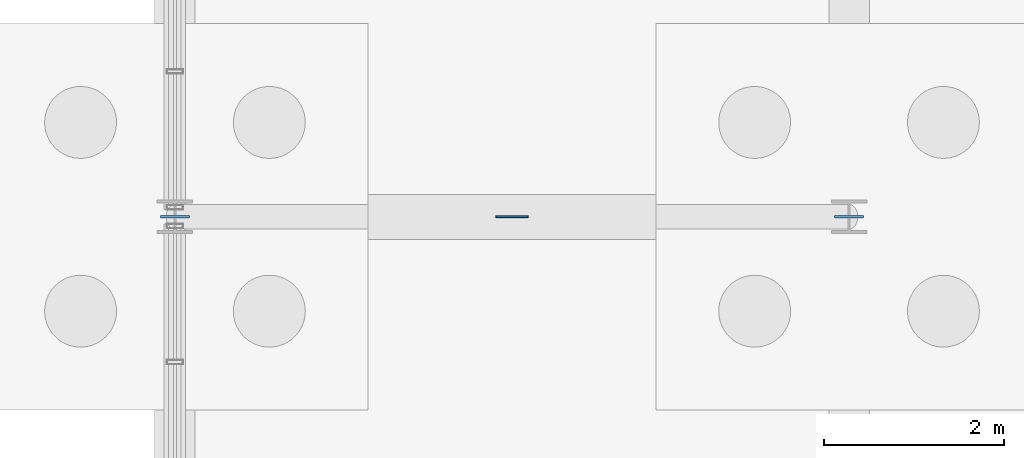
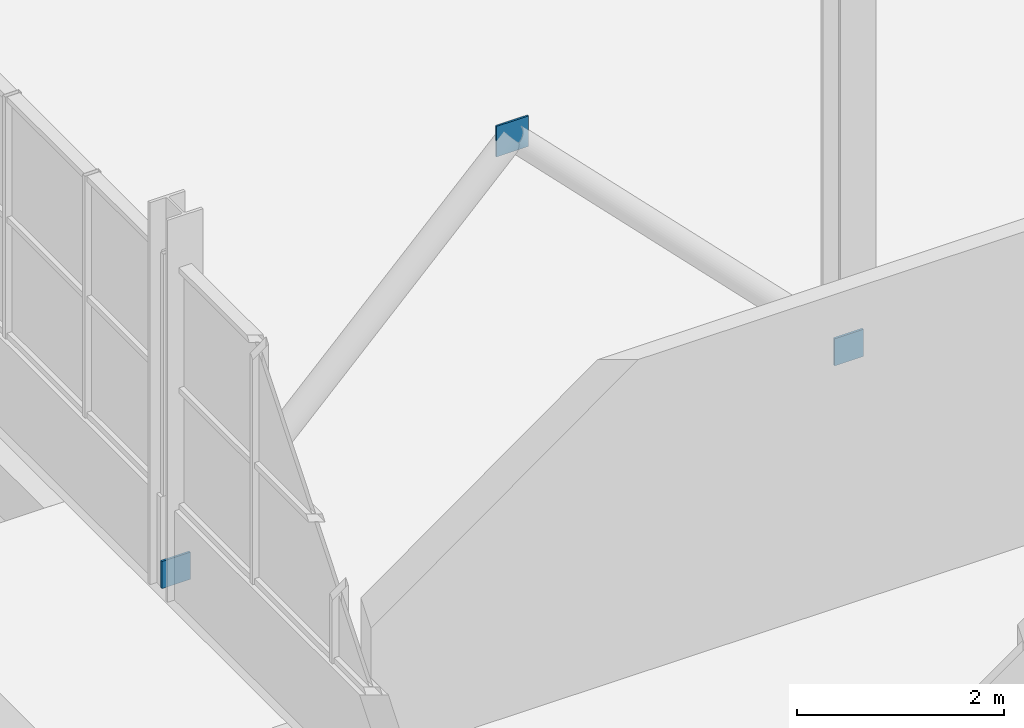
# One storey, part 101 of 136: 3 plates.
"""IFC4 building model written with IfcOpenShell, lengths in metres."""

from ifc_helpers import new_model, si_unit, direction, frame, origin, origin_2d, place, context, subcontext, project, spatial, rectangle, extrude, material, layer, layer_set, type_object, element, save


model = new_model("IFC4")

# Units and contexts
model_context = context("Model", 3, precision=1e-05, world=origin(), true_north=direction((0.0, 1.0)))
body_context = subcontext(model_context, "Body", "Model", "MODEL_VIEW")
ifc_project = project(units=[si_unit("LENGTHUNIT", "METRE"), si_unit("AREAUNIT", "SQUARE_METRE"), si_unit("VOLUMEUNIT", "CUBIC_METRE"), si_unit("PLANEANGLEUNIT", "RADIAN"), si_unit("MASSUNIT", "GRAM", prefix="KILO")], contexts=[model_context])

# Site, building, storey
site_placement = place(None, origin())
site = spatial("IfcSite", under=ifc_project, at=site_placement, CompositionType="ELEMENT")
building_placement = place(site_placement, origin())
building = spatial("IfcBuilding", under=site, at=building_placement, Name="Solvenia Promenade Tram Depot", CompositionType="ELEMENT")
storey_placement = place(building_placement, origin())
storey = spatial("IfcBuildingStorey", under=building, at=storey_placement, Name="L00", CompositionType="ELEMENT", Elevation=0.0)

# Plates
ifc_material = material(Name="Structural steel ASTM A572 Gr. 50", Category="steel")
ifc_layer_1 = layer(ifc_material, 0.02392578125, Name="Structural steel ASTM A572 Gr. 50", Category="steel")
ifc_layer_set_1 = layer_set([ifc_layer_1], Name="Structural steel ASTM A572 Gr. 50")
plate_type_1 = type_object("IfcPlateType", Name="EndCap-CP1", PredefinedType="SHEET", material=ifc_layer_set_1)
for number, where, z_axis, x_axis, name in (
    (1, (105.0, 52.0, 0.0400390625), (0.0, 0.0, 1.0), (1.0, 0.0, 0.0), "Chevron Left Foot Gusset Plate 07"),
    (2, (112.5, 52.0, 0.0400390625), (0.0, 0.0, 1.0), (1.0, 0.0, 0.0), "Chevron Right Foot Gusset Plate 07"),
):
    element("IfcPlate", number, at=place(storey_placement, frame(where, z_axis=z_axis, x_axis=x_axis)), inside=storey, type_object=plate_type_1, Name=name, PredefinedType="SHEET", context=body_context, shape_type="SweptSolid", body=[
        extrude(rectangle(XDim=0.320068359375, YDim=0.02392578125, at=origin_2d()), origin(), (0.0, 0.0, 1.0), 0.320068359375),
    ])
ifc_layer_2 = layer(ifc_material, 0.02197265625, Name="Structural steel ASTM A572 Gr. 50", Category="steel")
ifc_layer_set_2 = layer_set([ifc_layer_2], Name="Structural steel ASTM A572 Gr. 50")
plate_type_2 = type_object("IfcPlateType", Name="EndCap-CP2", PredefinedType="SHEET", material=ifc_layer_set_2)
plate_placement = place(storey_placement, frame((108.75, 52.0, 3.81982421875), z_axis=(0.0, 0.0, 1.0), x_axis=(1.0, 0.0, 0.0)))
element("IfcPlate", 3, at=plate_placement, inside=storey, type_object=plate_type_2, Name="Chevron Gusset Cap Plate 07", PredefinedType="SHEET", context=body_context, shape_type="SweptSolid", body=[
    extrude(rectangle(XDim=0.360107421875, YDim=0.02001953125, at=origin_2d()), origin(), (0.0, 0.0, 1.0), 0.360107421875),
])

save(model, "model.ifc")
